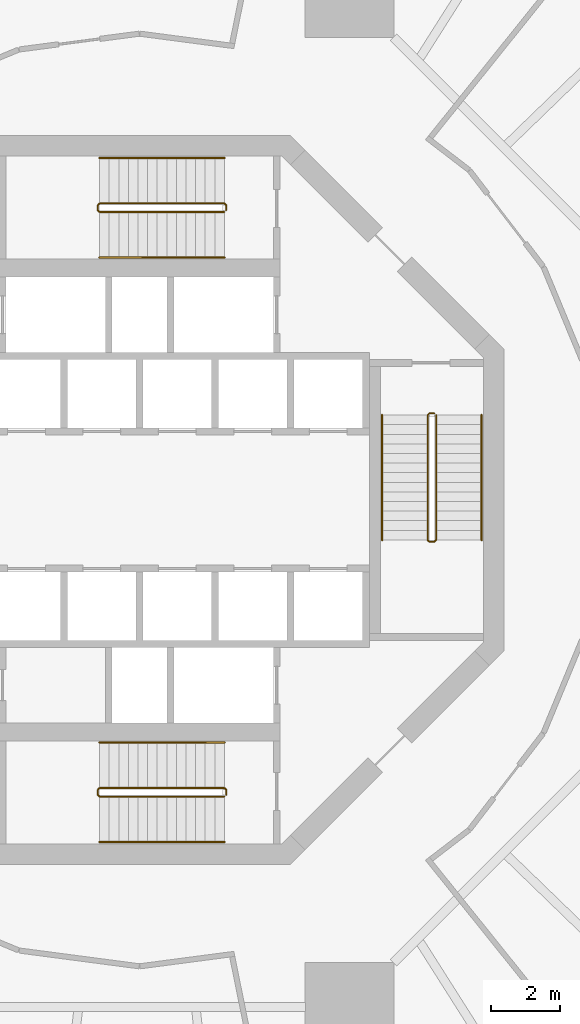
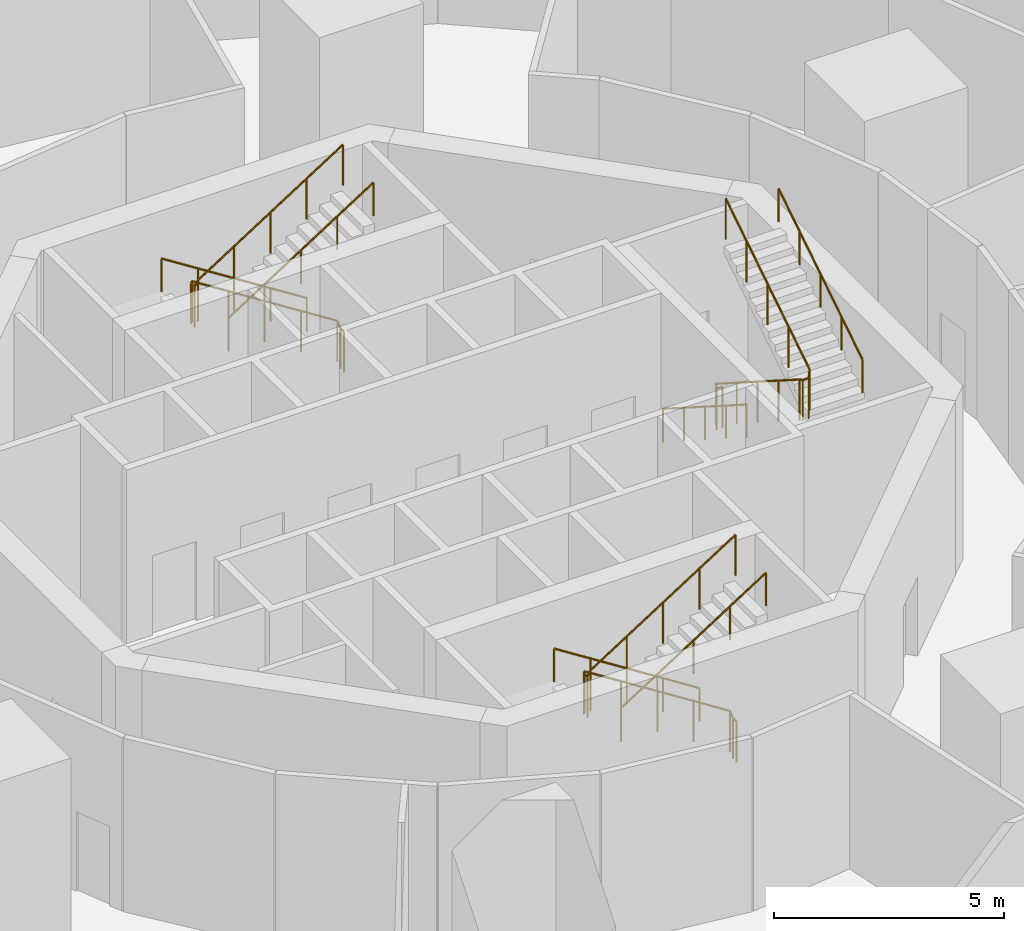
# One storey, part 13 of 14: 9 railings.
"""IFC4 building model written with IfcOpenShell, lengths in metres."""

from ifc_helpers import new_model, si_unit, direction, frame, origin, origin_2d, place, context, subcontext, project, spatial, circle, extrude, material, type_object, element, save


model = new_model("IFC4")

# Units and contexts
model_context = context("Model", 3, precision=1e-05, world=origin(), true_north=direction((0.0, 1.0)))
body_context = subcontext(model_context, "Body", "Model", "MODEL_VIEW")
ifc_project = project(units=[si_unit("LENGTHUNIT", "METRE"), si_unit("AREAUNIT", "SQUARE_METRE"), si_unit("VOLUMEUNIT", "CUBIC_METRE"), si_unit("PLANEANGLEUNIT", "RADIAN"), si_unit("MASSUNIT", "GRAM", prefix="KILO")], contexts=[model_context])

# Site, building, storey
site_placement = place(None, origin())
site = spatial("IfcSite", under=ifc_project, at=site_placement, CompositionType="ELEMENT")
building_placement = place(site_placement, origin())
building = spatial("IfcBuilding", under=site, at=building_placement, Name="Nagisa Residences", CompositionType="ELEMENT")
storey_placement = place(building_placement, frame((0.0, 0.0, -5.0)))
storey = spatial("IfcBuildingStorey", under=building, at=storey_placement, Name="B1", CompositionType="ELEMENT", Elevation=-5.0)

# Railings
ifc_material_1 = material(Name="Stainless steel", Category="steel")
railing_type_1 = type_object("IfcRailingType", Name="Stair guard 1100", PredefinedType="GUARDRAIL", material=ifc_material_1)
railing_1_placement = place(storey_placement, frame((8.599609375, 2.52490234375, 0.0)))
element("IfcRailing", 1, at=railing_1_placement, inside=storey, type_object=railing_type_1, Name="B1 ST-E stair guard 1", PredefinedType="GUARDRAIL", context=body_context, shape_type="SweptSolid", body=[
    extrude(circle(Radius=0.02392578125, at=origin_2d()), frame((0.0, 0.0, 1.076171875), z_axis=(-1.0, 0.0, 0.0), x_axis=(0.0, -1.0, 0.0)), (0.0, 0.0, 1.0), 0.14990234375),
    extrude(circle(Radius=0.02392578125, at=origin_2d()), frame((-0.14990234375, 0.0, 1.076171875), z_axis=(-0.26077077684, -0.25949872427, 0.929870428634), x_axis=(0.705375805398, -0.708833529934, 0.0)), (0.0, 0.0, 1.0), 0.19189453125),
    extrude(circle(Radius=0.02392578125, at=origin_2d()), frame((-0.199951171875, -0.0498046875, 1.25439453125), z_axis=(0.0, -0.843127859045, 0.537713132908), x_axis=(1.0, 0.0, 0.0)), (0.0, 0.0, 1.0), 4.3173828125),
    extrude(circle(Radius=0.02392578125, at=origin_2d()), frame((-0.199951171875, -3.68994140625, 3.576171875), z_axis=(0.707106781187, -0.707106781187, 0.0), x_axis=(0.707106781187, 0.707106781187, 0.0)), (0.0, 0.0, 1.0), 0.07080078125),
    extrude(circle(Radius=0.02392578125, at=origin_2d()), frame((-0.14990234375, -3.739990234375, 3.576171875), z_axis=(1.0, 0.0, 0.0), x_axis=(0.0, 1.0, 0.0)), (0.0, 0.0, 1.0), 0.14990234375),
    extrude(circle(Radius=0.02392578125, at=origin_2d()), frame((0.0, -3.739990234375, 3.576171875), z_axis=(0.260684529273, 0.260684529273, 0.929562882432), x_axis=(-0.707106781187, 0.707106781187, 0.0)), (0.0, 0.0, 1.0), 0.19189453125),
    extrude(circle(Radius=0.02392578125, at=origin_2d()), frame((0.050048828125, -3.68994140625, 3.75439453125), z_axis=(0.0, 0.843127859045, 0.537713132908), x_axis=(-1.0, 0.0, 0.0)), (0.0, 0.0, 1.0), 4.3173828125),
    extrude(circle(Radius=0.02099609375, at=origin_2d()), origin(), (0.0, 0.0, 1.0), 1.052001953125),
    extrude(circle(Radius=0.02099609375, at=origin_2d()), frame((-0.14990234375, 0.0, 0.0)), (0.0, 0.0, 1.0), 1.052001953125),
    extrude(circle(Radius=0.02099609375, at=origin_2d()), frame((-0.199951171875, -0.0498046875, 0.178466796875)), (0.0, 0.0, 1.0), 1.052001953125),
    extrude(circle(Radius=0.02099609375, at=origin_2d()), frame((-0.199951171875, -0.9599609375, 0.7587890625)), (0.0, 0.0, 1.0), 1.052001953125),
    extrude(circle(Radius=0.02099609375, at=origin_2d()), frame((-0.199951171875, -1.869873046875, 1.33935546875)), (0.0, 0.0, 1.0), 1.052001953125),
    extrude(circle(Radius=0.02099609375, at=origin_2d()), frame((-0.199951171875, -2.77978515625, 1.919677734375)), (0.0, 0.0, 1.0), 1.052001953125),
    extrude(circle(Radius=0.02099609375, at=origin_2d()), frame((-0.199951171875, -3.68994140625, 2.5)), (0.0, 0.0, 1.0), 1.052001953125),
    extrude(circle(Radius=0.02099609375, at=origin_2d()), frame((-0.14990234375, -3.739990234375, 2.5)), (0.0, 0.0, 1.0), 1.052001953125),
    extrude(circle(Radius=0.02099609375, at=origin_2d()), frame((0.0, -3.739990234375, 2.5)), (0.0, 0.0, 1.0), 1.052001953125),
    extrude(circle(Radius=0.02099609375, at=origin_2d()), frame((0.050048828125, -3.68994140625, 2.678466796875)), (0.0, 0.0, 1.0), 1.052001953125),
    extrude(circle(Radius=0.02099609375, at=origin_2d()), frame((0.050048828125, -2.77978515625, 3.2587890625)), (0.0, 0.0, 1.0), 1.052001953125),
    extrude(circle(Radius=0.02099609375, at=origin_2d()), frame((0.050048828125, -1.869873046875, 3.83935546875)), (0.0, 0.0, 1.0), 1.052001953125),
    extrude(circle(Radius=0.02099609375, at=origin_2d()), frame((0.050048828125, -0.9599609375, 4.419677734375)), (0.0, 0.0, 1.0), 1.052001953125),
    extrude(circle(Radius=0.02099609375, at=origin_2d()), frame((0.050048828125, -0.0498046875, 5.0)), (0.0, 0.0, 1.0), 1.052001953125),
])
railing_2_placement = place(storey_placement, frame((2.52490234375, 8.44970703125, 0.0)))
element("IfcRailing", 2, at=railing_2_placement, inside=storey, type_object=railing_type_1, Name="B1 ST-N stair guard 1", PredefinedType="GUARDRAIL", context=body_context, shape_type="SweptSolid", body=[
    extrude(circle(Radius=0.02392578125, at=origin_2d()), frame((0.0, 0.0, 1.076171875), z_axis=(0.0, 1.0, 0.0), x_axis=(-1.0, 0.0, 0.0)), (0.0, 0.0, 1.0), 0.14990234375),
    extrude(circle(Radius=0.02392578125, at=origin_2d()), frame((0.0, 0.14990234375, 1.076171875), z_axis=(-0.25949872427, 0.26077077684, 0.929870428634), x_axis=(-0.708833529934, -0.705375805398, 0.0)), (0.0, 0.0, 1.0), 0.19189453125),
    extrude(circle(Radius=0.02392578125, at=origin_2d()), frame((-0.0498046875, 0.199951171875, 1.25439453125), z_axis=(-0.843127859045, 0.0, 0.537713132908), x_axis=(0.0, -1.0, 0.0)), (0.0, 0.0, 1.0), 4.3173828125),
    extrude(circle(Radius=0.02392578125, at=origin_2d()), frame((-3.68994140625, 0.199951171875, 3.576171875), z_axis=(-0.707106781187, -0.707106781187, 0.0), x_axis=(0.707106781187, -0.707106781187, 0.0)), (0.0, 0.0, 1.0), 0.07080078125),
    extrude(circle(Radius=0.02392578125, at=origin_2d()), frame((-3.739990234375, 0.14990234375, 3.576171875), z_axis=(0.0, -1.0, 0.0), x_axis=(1.0, 0.0, 0.0)), (0.0, 0.0, 1.0), 0.14990234375),
    extrude(circle(Radius=0.02392578125, at=origin_2d()), frame((-3.739990234375, 0.0, 3.576171875), z_axis=(0.260684529273, -0.260684529273, 0.929562882432), x_axis=(0.707106781187, 0.707106781187, 0.0)), (0.0, 0.0, 1.0), 0.19189453125),
    extrude(circle(Radius=0.02392578125, at=origin_2d()), frame((-3.68994140625, -0.050048828125, 3.75439453125), z_axis=(0.843127859045, 0.0, 0.537713132908), x_axis=(0.0, 1.0, 0.0)), (0.0, 0.0, 1.0), 4.3173828125),
    extrude(circle(Radius=0.02099609375, at=origin_2d()), origin(), (0.0, 0.0, 1.0), 1.052001953125),
    extrude(circle(Radius=0.02099609375, at=origin_2d()), frame((0.0, 0.14990234375, 0.0)), (0.0, 0.0, 1.0), 1.052001953125),
    extrude(circle(Radius=0.02099609375, at=origin_2d()), frame((-0.0498046875, 0.199951171875, 0.178466796875)), (0.0, 0.0, 1.0), 1.052001953125),
    extrude(circle(Radius=0.02099609375, at=origin_2d()), frame((-0.9599609375, 0.199951171875, 0.7587890625)), (0.0, 0.0, 1.0), 1.052001953125),
    extrude(circle(Radius=0.02099609375, at=origin_2d()), frame((-1.869873046875, 0.199951171875, 1.33935546875)), (0.0, 0.0, 1.0), 1.052001953125),
    extrude(circle(Radius=0.02099609375, at=origin_2d()), frame((-2.77978515625, 0.199951171875, 1.919677734375)), (0.0, 0.0, 1.0), 1.052001953125),
    extrude(circle(Radius=0.02099609375, at=origin_2d()), frame((-3.68994140625, 0.199951171875, 2.5)), (0.0, 0.0, 1.0), 1.052001953125),
    extrude(circle(Radius=0.02099609375, at=origin_2d()), frame((-3.739990234375, 0.14990234375, 2.5)), (0.0, 0.0, 1.0), 1.052001953125),
    extrude(circle(Radius=0.02099609375, at=origin_2d()), frame((-3.739990234375, 0.0, 2.5)), (0.0, 0.0, 1.0), 1.052001953125),
    extrude(circle(Radius=0.02099609375, at=origin_2d()), frame((-3.68994140625, -0.050048828125, 2.678466796875)), (0.0, 0.0, 1.0), 1.052001953125),
    extrude(circle(Radius=0.02099609375, at=origin_2d()), frame((-2.77978515625, -0.050048828125, 3.2587890625)), (0.0, 0.0, 1.0), 1.052001953125),
    extrude(circle(Radius=0.02099609375, at=origin_2d()), frame((-1.869873046875, -0.050048828125, 3.83935546875)), (0.0, 0.0, 1.0), 1.052001953125),
    extrude(circle(Radius=0.02099609375, at=origin_2d()), frame((-0.9599609375, -0.050048828125, 4.419677734375)), (0.0, 0.0, 1.0), 1.052001953125),
    extrude(circle(Radius=0.02099609375, at=origin_2d()), frame((-0.0498046875, -0.050048828125, 5.0)), (0.0, 0.0, 1.0), 1.052001953125),
])
railing_3_placement = place(storey_placement, frame((2.52490234375, -8.599609375, 0.0)))
element("IfcRailing", 3, at=railing_3_placement, inside=storey, type_object=railing_type_1, Name="B1 ST-S stair guard 1", PredefinedType="GUARDRAIL", context=body_context, shape_type="SweptSolid", body=[
    extrude(circle(Radius=0.02392578125, at=origin_2d()), frame((0.0, 0.0, 1.076171875), z_axis=(0.0, 1.0, 0.0), x_axis=(-1.0, 0.0, 0.0)), (0.0, 0.0, 1.0), 0.14990234375),
    extrude(circle(Radius=0.02392578125, at=origin_2d()), frame((0.0, 0.14990234375, 1.076171875), z_axis=(-0.25949872427, 0.26077077684, 0.929870428634), x_axis=(-0.708833529934, -0.705375805398, 0.0)), (0.0, 0.0, 1.0), 0.19189453125),
    extrude(circle(Radius=0.02392578125, at=origin_2d()), frame((-0.0498046875, 0.199951171875, 1.25439453125), z_axis=(-0.843127859045, 0.0, 0.537713132908), x_axis=(0.0, -1.0, 0.0)), (0.0, 0.0, 1.0), 4.3173828125),
    extrude(circle(Radius=0.02392578125, at=origin_2d()), frame((-3.68994140625, 0.199951171875, 3.576171875), z_axis=(-0.707106781187, -0.707106781187, 0.0), x_axis=(0.707106781187, -0.707106781187, 0.0)), (0.0, 0.0, 1.0), 0.07080078125),
    extrude(circle(Radius=0.02392578125, at=origin_2d()), frame((-3.739990234375, 0.14990234375, 3.576171875), z_axis=(0.0, -1.0, 0.0), x_axis=(1.0, 0.0, 0.0)), (0.0, 0.0, 1.0), 0.14990234375),
    extrude(circle(Radius=0.02392578125, at=origin_2d()), frame((-3.739990234375, 0.0, 3.576171875), z_axis=(0.260684529273, -0.260684529273, 0.929562882432), x_axis=(0.707106781187, 0.707106781187, 0.0)), (0.0, 0.0, 1.0), 0.19189453125),
    extrude(circle(Radius=0.02392578125, at=origin_2d()), frame((-3.68994140625, -0.050048828125, 3.75439453125), z_axis=(0.843127859045, 0.0, 0.537713132908), x_axis=(0.0, 1.0, 0.0)), (0.0, 0.0, 1.0), 4.3173828125),
    extrude(circle(Radius=0.02099609375, at=origin_2d()), origin(), (0.0, 0.0, 1.0), 1.052001953125),
    extrude(circle(Radius=0.02099609375, at=origin_2d()), frame((0.0, 0.14990234375, 0.0)), (0.0, 0.0, 1.0), 1.052001953125),
    extrude(circle(Radius=0.02099609375, at=origin_2d()), frame((-0.0498046875, 0.199951171875, 0.178466796875)), (0.0, 0.0, 1.0), 1.052001953125),
    extrude(circle(Radius=0.02099609375, at=origin_2d()), frame((-0.9599609375, 0.199951171875, 0.7587890625)), (0.0, 0.0, 1.0), 1.052001953125),
    extrude(circle(Radius=0.02099609375, at=origin_2d()), frame((-1.869873046875, 0.199951171875, 1.33935546875)), (0.0, 0.0, 1.0), 1.052001953125),
    extrude(circle(Radius=0.02099609375, at=origin_2d()), frame((-2.77978515625, 0.199951171875, 1.919677734375)), (0.0, 0.0, 1.0), 1.052001953125),
    extrude(circle(Radius=0.02099609375, at=origin_2d()), frame((-3.68994140625, 0.199951171875, 2.5)), (0.0, 0.0, 1.0), 1.052001953125),
    extrude(circle(Radius=0.02099609375, at=origin_2d()), frame((-3.739990234375, 0.14990234375, 2.5)), (0.0, 0.0, 1.0), 1.052001953125),
    extrude(circle(Radius=0.02099609375, at=origin_2d()), frame((-3.739990234375, 0.0, 2.5)), (0.0, 0.0, 1.0), 1.052001953125),
    extrude(circle(Radius=0.02099609375, at=origin_2d()), frame((-3.68994140625, -0.050048828125, 2.678466796875)), (0.0, 0.0, 1.0), 1.052001953125),
    extrude(circle(Radius=0.02099609375, at=origin_2d()), frame((-2.77978515625, -0.050048828125, 3.2587890625)), (0.0, 0.0, 1.0), 1.052001953125),
    extrude(circle(Radius=0.02099609375, at=origin_2d()), frame((-1.869873046875, -0.050048828125, 3.83935546875)), (0.0, 0.0, 1.0), 1.052001953125),
    extrude(circle(Radius=0.02099609375, at=origin_2d()), frame((-0.9599609375, -0.050048828125, 4.419677734375)), (0.0, 0.0, 1.0), 1.052001953125),
    extrude(circle(Radius=0.02099609375, at=origin_2d()), frame((-0.0498046875, -0.050048828125, 5.0)), (0.0, 0.0, 1.0), 1.052001953125),
])
ifc_material_2 = material(Name="Stainless steel", Category="steel")
railing_type_2 = type_object("IfcRailingType", Name="Stair handrail 900", PredefinedType="HANDRAIL", material=ifc_material_2)
railing_4_placement = place(storey_placement, frame((7.07470703125, 2.47509765625, 0.178466796875)))
element("IfcRailing", 4, at=railing_4_placement, inside=storey, type_object=railing_type_2, Name="B1 ST-E stair handrail 1", PredefinedType="HANDRAIL", context=body_context, shape_type="SweptSolid", body=[
    extrude(circle(Radius=0.02392578125, at=origin_2d()), frame((0.0, 0.0, 0.8759765625), z_axis=(0.0, -0.843127859045, 0.537713132908), x_axis=(1.0, 0.0, 0.0)), (0.0, 0.0, 1.0), 4.3173828125),
    extrude(circle(Radius=0.02099609375, at=origin_2d()), origin(), (0.0, 0.0, 1.0), 0.851806640625),
    extrude(circle(Radius=0.02099609375, at=origin_2d()), frame((0.0, -0.91015625, 0.580322265625)), (0.0, 0.0, 1.0), 0.851806640625),
    extrude(circle(Radius=0.02099609375, at=origin_2d()), frame((0.0, -1.820068359375, 1.16064453125)), (0.0, 0.0, 1.0), 0.851806640625),
    extrude(circle(Radius=0.02099609375, at=origin_2d()), frame((0.0, -2.72998046875, 1.7412109375)), (0.0, 0.0, 1.0), 0.851806640625),
    extrude(circle(Radius=0.02099609375, at=origin_2d()), frame((0.0, -3.64013671875, 2.321533203125)), (0.0, 0.0, 1.0), 0.851806640625),
])
railing_5_placement = place(storey_placement, frame((9.974609375, -1.1650390625, 2.678466796875)))
element("IfcRailing", 5, at=railing_5_placement, inside=storey, type_object=railing_type_2, Name="B1 ST-E stair handrail 2", PredefinedType="HANDRAIL", context=body_context, shape_type="SweptSolid", body=[
    extrude(circle(Radius=0.02392578125, at=origin_2d()), frame((0.0, 0.0, 0.8759765625), z_axis=(0.0, 0.843127859045, 0.537713132908), x_axis=(-1.0, 0.0, 0.0)), (0.0, 0.0, 1.0), 4.3173828125),
    extrude(circle(Radius=0.02099609375, at=origin_2d()), origin(), (0.0, 0.0, 1.0), 0.851806640625),
    extrude(circle(Radius=0.02099609375, at=origin_2d()), frame((0.0, 0.91015625, 0.580322265625)), (0.0, 0.0, 1.0), 0.851806640625),
    extrude(circle(Radius=0.02099609375, at=origin_2d()), frame((0.0, 1.820068359375, 1.16064453125)), (0.0, 0.0, 1.0), 0.851806640625),
    extrude(circle(Radius=0.02099609375, at=origin_2d()), frame((0.0, 2.72998046875, 1.7412109375)), (0.0, 0.0, 1.0), 0.851806640625),
    extrude(circle(Radius=0.02099609375, at=origin_2d()), frame((0.0, 3.64013671875, 2.321533203125)), (0.0, 0.0, 1.0), 0.851806640625),
])
railing_6_placement = place(storey_placement, frame((2.47509765625, 9.974609375, 0.178466796875)))
element("IfcRailing", 6, at=railing_6_placement, inside=storey, type_object=railing_type_2, Name="B1 ST-N stair handrail 1", PredefinedType="HANDRAIL", context=body_context, shape_type="SweptSolid", body=[
    extrude(circle(Radius=0.02392578125, at=origin_2d()), frame((0.0, 0.0, 0.8759765625), z_axis=(-0.843127859045, 0.0, 0.537713132908), x_axis=(0.0, -1.0, 0.0)), (0.0, 0.0, 1.0), 4.3173828125),
    extrude(circle(Radius=0.02099609375, at=origin_2d()), origin(), (0.0, 0.0, 1.0), 0.851806640625),
    extrude(circle(Radius=0.02099609375, at=origin_2d()), frame((-0.91015625, 0.0, 0.580322265625)), (0.0, 0.0, 1.0), 0.851806640625),
    extrude(circle(Radius=0.02099609375, at=origin_2d()), frame((-1.820068359375, 0.0, 1.16064453125)), (0.0, 0.0, 1.0), 0.851806640625),
    extrude(circle(Radius=0.02099609375, at=origin_2d()), frame((-2.72998046875, 0.0, 1.7412109375)), (0.0, 0.0, 1.0), 0.851806640625),
    extrude(circle(Radius=0.02099609375, at=origin_2d()), frame((-3.64013671875, 0.0, 2.321533203125)), (0.0, 0.0, 1.0), 0.851806640625),
])
railing_7_placement = place(storey_placement, frame((-1.1650390625, 7.07470703125, 2.678466796875)))
element("IfcRailing", 7, at=railing_7_placement, inside=storey, type_object=railing_type_2, Name="B1 ST-N stair handrail 2", PredefinedType="HANDRAIL", context=body_context, shape_type="SweptSolid", body=[
    extrude(circle(Radius=0.02392578125, at=origin_2d()), frame((0.0, 0.0, 0.8759765625), z_axis=(0.843127859045, 0.0, 0.537713132908), x_axis=(0.0, 1.0, 0.0)), (0.0, 0.0, 1.0), 4.3173828125),
    extrude(circle(Radius=0.02099609375, at=origin_2d()), origin(), (0.0, 0.0, 1.0), 0.851806640625),
    extrude(circle(Radius=0.02099609375, at=origin_2d()), frame((0.91015625, 0.0, 0.580322265625)), (0.0, 0.0, 1.0), 0.851806640625),
    extrude(circle(Radius=0.02099609375, at=origin_2d()), frame((1.820068359375, 0.0, 1.16064453125)), (0.0, 0.0, 1.0), 0.851806640625),
    extrude(circle(Radius=0.02099609375, at=origin_2d()), frame((2.72998046875, 0.0, 1.7412109375)), (0.0, 0.0, 1.0), 0.851806640625),
    extrude(circle(Radius=0.02099609375, at=origin_2d()), frame((3.64013671875, 0.0, 2.321533203125)), (0.0, 0.0, 1.0), 0.851806640625),
])
railing_8_placement = place(storey_placement, frame((2.47509765625, -7.07470703125, 0.178466796875)))
element("IfcRailing", 8, at=railing_8_placement, inside=storey, type_object=railing_type_2, Name="B1 ST-S stair handrail 1", PredefinedType="HANDRAIL", context=body_context, shape_type="SweptSolid", body=[
    extrude(circle(Radius=0.02392578125, at=origin_2d()), frame((0.0, 0.0, 0.8759765625), z_axis=(-0.843127859045, 0.0, 0.537713132908), x_axis=(0.0, -1.0, 0.0)), (0.0, 0.0, 1.0), 4.3173828125),
    extrude(circle(Radius=0.02099609375, at=origin_2d()), origin(), (0.0, 0.0, 1.0), 0.851806640625),
    extrude(circle(Radius=0.02099609375, at=origin_2d()), frame((-0.91015625, 0.0, 0.580322265625)), (0.0, 0.0, 1.0), 0.851806640625),
    extrude(circle(Radius=0.02099609375, at=origin_2d()), frame((-1.820068359375, 0.0, 1.16064453125)), (0.0, 0.0, 1.0), 0.851806640625),
    extrude(circle(Radius=0.02099609375, at=origin_2d()), frame((-2.72998046875, 0.0, 1.7412109375)), (0.0, 0.0, 1.0), 0.851806640625),
    extrude(circle(Radius=0.02099609375, at=origin_2d()), frame((-3.64013671875, 0.0, 2.321533203125)), (0.0, 0.0, 1.0), 0.851806640625),
])
railing_9_placement = place(storey_placement, frame((-1.1650390625, -9.974609375, 2.678466796875)))
element("IfcRailing", 9, at=railing_9_placement, inside=storey, type_object=railing_type_2, Name="B1 ST-S stair handrail 2", PredefinedType="HANDRAIL", context=body_context, shape_type="SweptSolid", body=[
    extrude(circle(Radius=0.02392578125, at=origin_2d()), frame((0.0, 0.0, 0.8759765625), z_axis=(0.843127859045, 0.0, 0.537713132908), x_axis=(0.0, 1.0, 0.0)), (0.0, 0.0, 1.0), 4.3173828125),
    extrude(circle(Radius=0.02099609375, at=origin_2d()), origin(), (0.0, 0.0, 1.0), 0.851806640625),
    extrude(circle(Radius=0.02099609375, at=origin_2d()), frame((0.91015625, 0.0, 0.580322265625)), (0.0, 0.0, 1.0), 0.851806640625),
    extrude(circle(Radius=0.02099609375, at=origin_2d()), frame((1.820068359375, 0.0, 1.16064453125)), (0.0, 0.0, 1.0), 0.851806640625),
    extrude(circle(Radius=0.02099609375, at=origin_2d()), frame((2.72998046875, 0.0, 1.7412109375)), (0.0, 0.0, 1.0), 0.851806640625),
    extrude(circle(Radius=0.02099609375, at=origin_2d()), frame((3.64013671875, 0.0, 2.321533203125)), (0.0, 0.0, 1.0), 0.851806640625),
])

save(model, "model.ifc")
